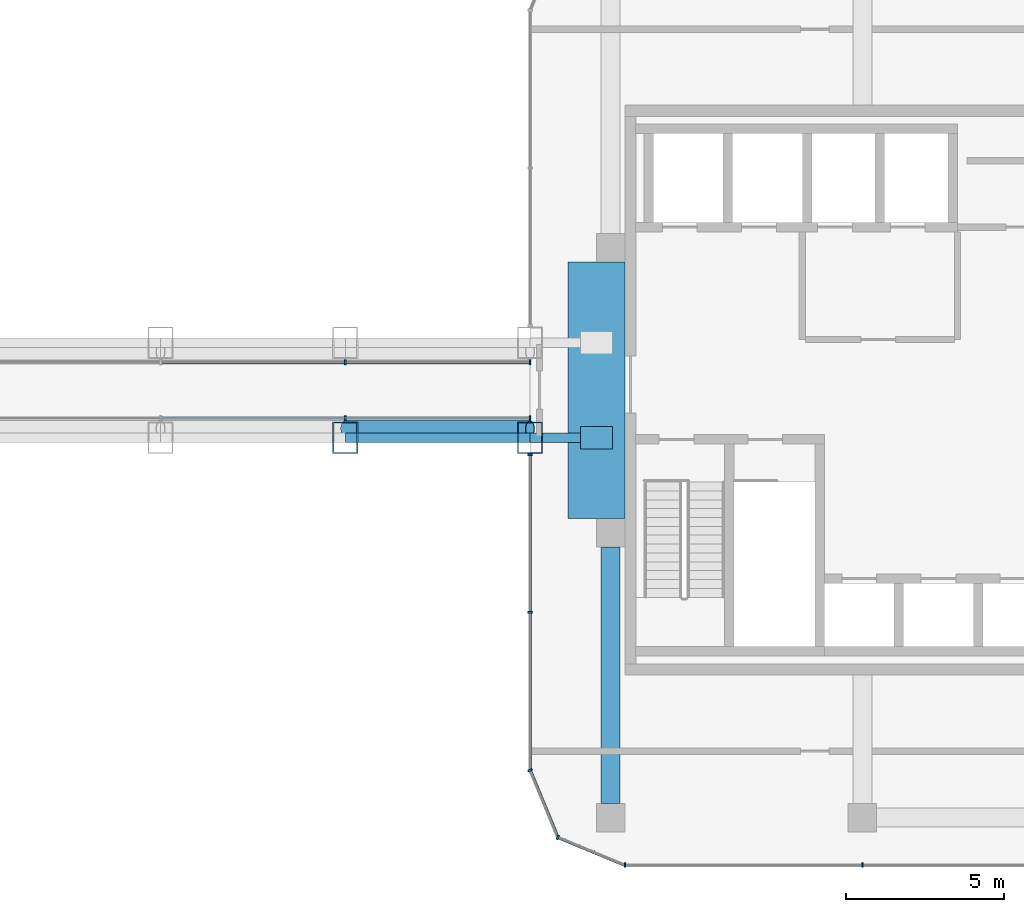
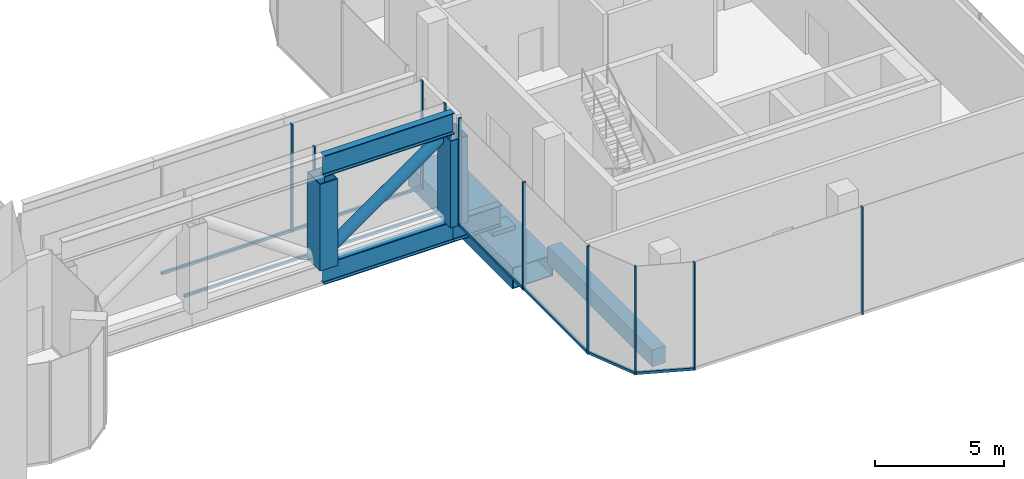
# One storey, part 10 of 23: 22 members, 2 beams, 6 elements without a shape of their own.
"""IFC4 building model written with IfcOpenShell, lengths in metres."""

from ifc_helpers import new_model, si_unit, direction, frame, origin, origin_2d, place, context, subcontext, project, spatial, rectangle, hollow_rectangle, hollow_circle, i_section, extrude, material, layer, layer_set, material_profile, profile_set, type_object, element, aggregate, save


model = new_model("IFC4")

# Units and contexts
model_context = context("Model", 3, precision=1e-05, world=origin(), true_north=direction((0.0, 1.0)))
body_context = subcontext(model_context, "Body", "Model", "MODEL_VIEW")
ifc_project = project(units=[si_unit("LENGTHUNIT", "METRE"), si_unit("AREAUNIT", "SQUARE_METRE"), si_unit("VOLUMEUNIT", "CUBIC_METRE"), si_unit("PLANEANGLEUNIT", "RADIAN"), si_unit("MASSUNIT", "GRAM", prefix="KILO")], contexts=[model_context])

# Site, building, storey
site_placement = place(None, origin())
site = spatial("IfcSite", under=ifc_project, at=site_placement, CompositionType="ELEMENT")
building_placement = place(site_placement, origin())
building = spatial("IfcBuilding", under=site, at=building_placement, Name="Plateau Cross Towers", CompositionType="ELEMENT")
storey_placement = place(building_placement, frame((0.0, 0.0, 123.800048828125)))
storey = spatial("IfcBuildingStorey", under=building, at=storey_placement, Name="L32", CompositionType="ELEMENT", Elevation=123.800048828125)

# Beam
ifc_material_1 = material(Name="Steel S355", Category="steel")
ifc_material_profile_1 = material_profile(ifc_material_1, hollow_rectangle(XDim=1.800048828125, YDim=1.0, WallThickness=0.0400390625, at=origin_2d()), Name="BOX 1000x1800x40")
ifc_profile_set_1 = profile_set([ifc_material_profile_1], Name="Steel S355")
beam_type_1 = type_object("IfcBeamType", Name="Bridge seat beam BOX 1000x1800x40", PredefinedType="BEAM", material=ifc_profile_set_1)
beam_1_placement = place(storey_placement, frame((74.10009765625, 4.949951171875, -2.0), z_axis=(0.0, 1.0, 0.0), x_axis=(-1.0, 0.0, 0.0)))
element("IfcBeam", 1, at=beam_1_placement, inside=storey, type_object=beam_type_1, Name="BR-S-SEATBEAM", PredefinedType="BEAM", context=body_context, shape_type="SweptSolid", body=[
    extrude(hollow_rectangle(XDim=1.800048828125, YDim=1.0, WallThickness=0.0400390625, at=origin_2d()), origin(), (0.0, 0.0, 1.0), 8.10009765625),
])

# Curtain wall, members
ifc_material_2 = material(Name="Dark low-iron glass", Category="glass")
ifc_layer_1 = layer(ifc_material_2, 0.239990234375)
ifc_layer_set_1 = layer_set([ifc_layer_1], Name="Dark low-iron glass")
curtain_wall_type_1 = type_object("IfcCurtainWallType", Name="Curtain wall office unitised CW-F", PredefinedType="NOTDEFINED", material=ifc_layer_set_1)
curtain_wall_1_placement = place(storey_placement, origin())
curtain_wall_1 = element("IfcCurtainWall", 2, at=curtain_wall_1_placement, inside=storey, type_object=curtain_wall_type_1, Name="ENV/B/L32/B750_-60", PredefinedType="NOTDEFINED")
ifc_material_3 = material(Name="Black anodised aluminium", Category="aluminium")
ifc_material_profile_2 = material_profile(ifc_material_3, rectangle(XDim=0.06005859375, YDim=0.139892578125, at=origin_2d()), Name="MULLION 60x140")
ifc_profile_set_2 = profile_set([ifc_material_profile_2], Name="Black anodised aluminium")
member_type_1 = type_object("IfcMemberType", Name="Mullion 60x140 office unitised", PredefinedType="MULLION", material=ifc_profile_set_2)
member_1_placement = place(storey_placement, frame((75.0, -6.0, -0.300048828125), z_axis=(0.0, 0.0, 1.0), x_axis=(1.0, 0.0, 0.0)))
member_1 = element("IfcMember", 3, at=member_1_placement, type_object=member_type_1, Name="CW-F mullion 1", PredefinedType="MULLION", context=body_context, shape_type="SweptSolid", body=[
    extrude(rectangle(XDim=0.06005859375, YDim=0.139892578125, at=origin_2d()), origin(), (0.0, 0.0, 1.0), 5.10009765625),
])
member_2_placement = place(storey_placement, frame((82.5, -6.0, -0.300048828125), z_axis=(0.0, 0.0, 1.0), x_axis=(1.0, 0.0, 0.0)))
member_2 = element("IfcMember", 4, at=member_2_placement, type_object=member_type_1, Name="CW-F mullion 2", PredefinedType="MULLION", context=body_context, shape_type="SweptSolid", body=[
    extrude(rectangle(XDim=0.06005859375, YDim=0.139892578125, at=origin_2d()), origin(), (0.0, 0.0, 1.0), 5.10009765625),
])
aggregate(curtain_wall_1, [member_1, member_2])

curtain_wall_2_placement = place(storey_placement, origin())
curtain_wall_2 = element("IfcCurtainWall", 5, at=curtain_wall_2_placement, inside=storey, type_object=curtain_wall_type_1, Name="ENV/B/L32/B720_70", PredefinedType="NOTDEFINED")
member_3_placement = place(storey_placement, frame((72.0, 6.965087890625, -0.300048828125), z_axis=(0.0, 0.0, 1.0), x_axis=(0.0, -1.0, 0.0)))
member_3 = element("IfcMember", 6, at=member_3_placement, type_object=member_type_1, Name="CW-F mullion 1", PredefinedType="MULLION", context=body_context, shape_type="SweptSolid", body=[
    extrude(rectangle(XDim=0.06005859375, YDim=0.139892578125, at=origin_2d()), origin(), (0.0, 0.0, 1.0), 5.10009765625),
])
member_4_placement = place(storey_placement, frame((72.0, 1.982421875, -0.300048828125), z_axis=(0.0, 0.0, 1.0), x_axis=(0.0, -1.0, 0.0)))
member_4 = element("IfcMember", 7, at=member_4_placement, type_object=member_type_1, Name="CW-F mullion 2", PredefinedType="MULLION", context=body_context, shape_type="SweptSolid", body=[
    extrude(rectangle(XDim=0.06005859375, YDim=0.139892578125, at=origin_2d()), origin(), (0.0, 0.0, 1.0), 5.10009765625),
])

# Curtain wall, member
curtain_wall_3_placement = place(storey_placement, origin())
curtain_wall_3 = element("IfcCurtainWall", 8, at=curtain_wall_3_placement, inside=storey, type_object=curtain_wall_type_1, Name="ENV/B/L32/B720_-30", PredefinedType="NOTDEFINED")
member_5_placement = place(storey_placement, frame((72.0, -3.0, -0.300048828125), z_axis=(0.0, 0.0, 1.0), x_axis=(0.382683612978, -0.923879457699, 0.0)))
member_5 = element("IfcMember", 9, at=member_5_placement, type_object=member_type_1, Name="CW-F mullion 1", PredefinedType="MULLION", context=body_context, shape_type="SweptSolid", body=[
    extrude(rectangle(XDim=0.06005859375, YDim=0.139892578125, at=origin_2d()), origin(), (0.0, 0.0, 1.0), 5.10009765625),
])

curtain_wall_4_placement = place(storey_placement, origin())
curtain_wall_4 = element("IfcCurtainWall", 10, at=curtain_wall_4_placement, inside=storey, type_object=curtain_wall_type_1, Name="ENV/B/L32/B729_-51", PredefinedType="NOTDEFINED")
member_6_placement = place(storey_placement, frame((72.878662109375, -5.121337890625, -0.300048828125), z_axis=(0.0, 0.0, 1.0), x_axis=(0.923879457699, -0.382683612978, 0.0)))
member_6 = element("IfcMember", 11, at=member_6_placement, type_object=member_type_1, Name="CW-F mullion 1", PredefinedType="MULLION", context=body_context, shape_type="SweptSolid", body=[
    extrude(rectangle(XDim=0.06005859375, YDim=0.139892578125, at=origin_2d()), origin(), (0.0, 0.0, 1.0), 5.10009765625),
])

# Curtain wall, members
ifc_material_4 = material(Name="Dark low-iron laminated glass", Category="glass")
ifc_layer_2 = layer(ifc_material_4, 0.25)
ifc_layer_set_2 = layer_set([ifc_layer_2], Name="Dark low-iron laminated glass")
curtain_wall_type_2 = type_object("IfcCurtainWallType", Name="Curtain wall bridge CW-E", PredefinedType="NOTDEFINED", material=ifc_layer_set_2)
curtain_wall_5_placement = place(storey_placement, origin())
curtain_wall_5 = element("IfcCurtainWall", 12, at=curtain_wall_5_placement, inside=storey, type_object=curtain_wall_type_2, Name="ENV/BR/L32/BR-S-south-2", PredefinedType="NOTDEFINED")
ifc_material_profile_3 = material_profile(ifc_material_3, rectangle(XDim=0.06005859375, YDim=0.14990234375, at=origin_2d()), Name="MULLION 60x150")
ifc_profile_set_3 = profile_set([ifc_material_profile_3], Name="Black anodised aluminium")
member_type_2 = type_object("IfcMemberType", Name="Mullion 60x150 bridge", PredefinedType="MULLION", material=ifc_profile_set_3)
member_7_placement = place(storey_placement, frame((66.166748046875, 8.1201171875, -0.300048828125), z_axis=(0.0, 0.0, 1.0), x_axis=(1.0, 0.0, 0.0)))
member_7 = element("IfcMember", 13, at=member_7_placement, type_object=member_type_2, Name="CW-E mullion 2", PredefinedType="MULLION", context=body_context, shape_type="SweptSolid", body=[
    extrude(rectangle(XDim=0.06005859375, YDim=0.14990234375, at=origin_2d()), origin(), (0.0, 0.0, 1.0), 5.10009765625),
])
member_8_placement = place(storey_placement, frame((72.0, 8.1201171875, -0.300048828125), z_axis=(0.0, 0.0, 1.0), x_axis=(1.0, 0.0, 0.0)))
member_8 = element("IfcMember", 14, at=member_8_placement, type_object=member_type_2, Name="CW-E mullion 3", PredefinedType="MULLION", context=body_context, shape_type="SweptSolid", body=[
    extrude(rectangle(XDim=0.06005859375, YDim=0.14990234375, at=origin_2d()), origin(), (0.0, 0.0, 1.0), 5.10009765625),
])

curtain_wall_6_placement = place(storey_placement, origin())
curtain_wall_6 = element("IfcCurtainWall", 15, at=curtain_wall_6_placement, inside=storey, type_object=curtain_wall_type_2, Name="ENV/BR/L32/BR-S-north-2", PredefinedType="NOTDEFINED")
member_9_placement = place(storey_placement, frame((66.166748046875, 9.8798828125, -0.300048828125), z_axis=(0.0, 0.0, 1.0), x_axis=(1.0, 0.0, 0.0)))
member_9 = element("IfcMember", 16, at=member_9_placement, type_object=member_type_2, Name="CW-E mullion 2", PredefinedType="MULLION", context=body_context, shape_type="SweptSolid", body=[
    extrude(rectangle(XDim=0.06005859375, YDim=0.14990234375, at=origin_2d()), origin(), (0.0, 0.0, 1.0), 5.10009765625),
])
member_10_placement = place(storey_placement, frame((72.0, 9.8798828125, -0.300048828125), z_axis=(0.0, 0.0, 1.0), x_axis=(1.0, 0.0, 0.0)))
member_10 = element("IfcMember", 17, at=member_10_placement, type_object=member_type_2, Name="CW-E mullion 3", PredefinedType="MULLION", context=body_context, shape_type="SweptSolid", body=[
    extrude(rectangle(XDim=0.06005859375, YDim=0.14990234375, at=origin_2d()), origin(), (0.0, 0.0, 1.0), 5.10009765625),
])

# Beam
ifc_material_5 = material(Name="Concrete C60/75", Category="concrete")
ifc_material_profile_4 = material_profile(ifc_material_5, rectangle(XDim=0.60009765625, YDim=0.800048828125, at=origin_2d()), Name="RC 600x800")
ifc_profile_set_4 = profile_set([ifc_material_profile_4], Name="Concrete C60/75")
beam_type_2 = type_object("IfcBeamType", Name="Ring beam RC 600x800", PredefinedType="BEAM", material=ifc_profile_set_4)
beam_2_placement = place(storey_placement, frame((74.550048828125, 4.050048828125, -0.699951171875), z_axis=(0.0, -1.0, 0.0), x_axis=(1.0, 0.0, 0.0)))
element("IfcBeam", 18, at=beam_2_placement, inside=storey, type_object=beam_type_2, Name="B-RB04@L32", PredefinedType="BEAM", context=body_context, shape_type="SweptSolid", body=[
    extrude(rectangle(XDim=0.60009765625, YDim=0.800048828125, at=origin_2d()), origin(), (0.0, 0.0, 1.0), 8.10009765625),
])

# Members
ifc_material_profile_5 = material_profile(ifc_material_1, i_section(OverallWidth=0.300048828125, OverallDepth=1.0, WebThickness=0.01904296875, FlangeThickness=0.035888671875, FilletRadius=0.030029296875, at=origin_2d()), Name="HE 1000 B")
ifc_profile_set_5 = profile_set([ifc_material_profile_5], Name="Steel S355")
member_type_3 = type_object("IfcMemberType", Name="Sky garden bridge truss chord HE 1000 B", PredefinedType="CHORD", material=ifc_profile_set_5)
for number, where, z_axis, x_axis, name in (
    (19, (66.166748046875, 7.5, -0.800048828125), (1.0, 0.0, 0.0), (0.0, 1.0, 0.0), "BR-S-T1-B3"),
    (20, (66.166748046875, 7.5, 4.300048828125), (1.0, 0.0, 0.0), (0.0, 1.0, 0.0), "BR-S-T1-T3"),
):
    element("IfcMember", number, at=place(storey_placement, frame(where, z_axis=z_axis, x_axis=x_axis)), inside=storey, type_object=member_type_3, Name=name, PredefinedType="CHORD", context=body_context, shape_type="SweptSolid", body=[
        extrude(i_section(OverallWidth=0.300048828125, OverallDepth=1.0, WebThickness=0.01904296875, FlangeThickness=0.035888671875, FilletRadius=0.030029296875, at=origin_2d()), origin(), (0.0, 0.0, 1.0), 5.833251953125),
    ])
member_11_placement = place(storey_placement, frame((72.0, 7.5, -0.800048828125), z_axis=(1.0, 0.0, 0.0), x_axis=(0.0, 1.0, 0.0)))
element("IfcMember", 21, at=member_11_placement, inside=storey, type_object=member_type_3, Name="BR-S-T1-SEAT", PredefinedType="CHORD", context=body_context, shape_type="SweptSolid", body=[
    extrude(i_section(OverallWidth=0.300048828125, OverallDepth=1.0, WebThickness=0.01904296875, FlangeThickness=0.035888671875, FilletRadius=0.030029296875, at=origin_2d()), origin(), (0.0, 0.0, 1.0), 2.10009765625),
])
ifc_material_profile_6 = material_profile(ifc_material_1, hollow_circle(Radius=0.25390625, WallThickness=0.02490234375, at=origin_2d()), Name="CHS 508x25")
ifc_profile_set_6 = profile_set([ifc_material_profile_6], Name="Steel S355")
member_type_4 = type_object("IfcMemberType", Name="Sky garden bridge truss diagonal CHS 508x25", PredefinedType="BRACE", material=ifc_profile_set_6)
member_12_placement = place(storey_placement, frame((66.166748046875, 7.785888671875, -0.300048828125), z_axis=(0.818122036637, 0.0, 0.575044635805), x_axis=(0.0, 1.0, 0.0)))
element("IfcMember", 22, at=member_12_placement, inside=storey, type_object=member_type_4, Name="BR-S-T1-D3", PredefinedType="BRACE", context=body_context, shape_type="SweptSolid", body=[
    extrude(hollow_circle(Radius=0.25390625, WallThickness=0.02490234375, at=origin_2d()), origin(), (0.0, 0.0, 1.0), 7.130126953125),
])
ifc_material_profile_7 = material_profile(ifc_material_1, hollow_rectangle(XDim=0.800048828125, YDim=1.0, WallThickness=0.0400390625, at=origin_2d()), Name="BOX 1000x800x40")
ifc_profile_set_7 = profile_set([ifc_material_profile_7], Name="Steel S355")
member_type_5 = type_object("IfcMemberType", Name="Sky garden bridge truss post BOX 1000x800x40", PredefinedType="POST", material=ifc_profile_set_7)
for number, where, z_axis, x_axis, name in (
    (23, (66.166748046875, 7.5, -0.300048828125), (0.0, 0.0, 1.0), (1.0, 0.0, 0.0), "BR-S-T1-V3"),
    (24, (72.0, 7.5, -0.300048828125), (0.0, 0.0, 1.0), (1.0, 0.0, 0.0), "BR-S-T1-V4"),
):
    element("IfcMember", number, at=place(storey_placement, frame(where, z_axis=z_axis, x_axis=x_axis)), inside=storey, type_object=member_type_5, Name=name, PredefinedType="POST", context=body_context, shape_type="SweptSolid", body=[
        extrude(hollow_rectangle(XDim=0.800048828125, YDim=1.0, WallThickness=0.0400390625, at=origin_2d()), origin(), (0.0, 0.0, 1.0), 4.10009765625),
    ])
ifc_layer_3 = layer(ifc_material_1, 0.199951171875)
ifc_layer_set_3 = layer_set([ifc_layer_3], Name="Steel S355")
member_type_6 = type_object("IfcMemberType", Name="Sliding bridge bearing BRG 1000x700", PredefinedType="USERDEFINED", material=ifc_layer_set_3)
member_13_placement = place(storey_placement, frame((74.10009765625, 7.5, -1.5), z_axis=(0.0, 0.0, 1.0), x_axis=(1.0, 0.0, 0.0)))
element("IfcMember", 25, at=member_13_placement, inside=storey, type_object=member_type_6, Name="Sky garden bridge sliding bearing 1", ObjectType="BEARING", PredefinedType="USERDEFINED", context=body_context, shape_type="SweptSolid", body=[
    extrude(rectangle(XDim=1.0, YDim=0.699951171875, at=origin_2d()), origin(), (0.0, 0.0, 1.0), 0.199951171875),
])

# Member
ifc_material_profile_8 = material_profile(ifc_material_3, rectangle(XDim=0.10009765625, YDim=0.1201171875, at=origin_2d()), Name="TRANSOM 100x120")
ifc_profile_set_8 = profile_set([ifc_material_profile_8], Name="Black anodised aluminium")
member_type_7 = type_object("IfcMemberType", Name="Transom 100x120 bridge", PredefinedType="USERDEFINED", material=ifc_profile_set_8)
member_14_placement = place(storey_placement, frame((60.333251953125, 8.1201171875, -0.239990234375), z_axis=(1.0, 0.0, 0.0), x_axis=(0.0, 1.0, 0.0)))
member_14 = element("IfcMember", 26, at=member_14_placement, type_object=member_type_7, Name="CW-E transom", ObjectType="TRANSOM", PredefinedType="USERDEFINED", context=body_context, shape_type="SweptSolid", body=[
    extrude(rectangle(XDim=0.10009765625, YDim=0.1201171875, at=origin_2d()), origin(), (0.0, 0.0, 1.0), 11.666748046875),
])

aggregate(curtain_wall_5, [member_7, member_8, member_14])

member_15_placement = place(storey_placement, frame((60.333251953125, 9.8798828125, -0.239990234375), z_axis=(1.0, 0.0, 0.0), x_axis=(0.0, 1.0, 0.0)))
member_15 = element("IfcMember", 27, at=member_15_placement, type_object=member_type_7, Name="CW-E transom", ObjectType="TRANSOM", PredefinedType="USERDEFINED", context=body_context, shape_type="SweptSolid", body=[
    extrude(rectangle(XDim=0.10009765625, YDim=0.1201171875, at=origin_2d()), origin(), (0.0, 0.0, 1.0), 11.666748046875),
])

aggregate(curtain_wall_6, [member_9, member_10, member_15])

ifc_material_profile_9 = material_profile(ifc_material_3, rectangle(XDim=0.10009765625, YDim=0.1201171875, at=origin_2d()), Name="TRANSOM 100x120")
ifc_profile_set_9 = profile_set([ifc_material_profile_9], Name="Black anodised aluminium")
member_type_8 = type_object("IfcMemberType", Name="Transom 100x120 office unitised", PredefinedType="USERDEFINED", material=ifc_profile_set_9)
member_16_placement = place(storey_placement, frame((72.0, 6.965087890625, -0.239990234375), z_axis=(0.0, -1.0, 0.0), x_axis=(1.0, 0.0, 0.0)))
member_16 = element("IfcMember", 28, at=member_16_placement, type_object=member_type_8, Name="CW-F transom", ObjectType="TRANSOM", PredefinedType="USERDEFINED", context=body_context, shape_type="SweptSolid", body=[
    extrude(rectangle(XDim=0.10009765625, YDim=0.1201171875, at=origin_2d()), origin(), (0.0, 0.0, 1.0), 9.965087890625),
])

aggregate(curtain_wall_2, [member_3, member_4, member_16])

member_17_placement = place(storey_placement, frame((72.0, -3.0, -0.239990234375), z_axis=(0.382674207535, -0.923883353507, 0.0), x_axis=(0.923883353507, 0.382674207535, 0.0)))
member_17 = element("IfcMember", 29, at=member_17_placement, type_object=member_type_8, Name="CW-F transom", ObjectType="TRANSOM", PredefinedType="USERDEFINED", context=body_context, shape_type="SweptSolid", body=[
    extrude(rectangle(XDim=0.10009765625, YDim=0.1201171875, at=origin_2d()), origin(), (0.0, 0.0, 1.0), 2.296142578125),
])

aggregate(curtain_wall_3, [member_5, member_17])

member_18_placement = place(storey_placement, frame((72.878662109375, -5.121337890625, -0.239990234375), z_axis=(0.923883353507, -0.382674207535, 0.0), x_axis=(0.382674207535, 0.923883353507, 0.0)))
member_18 = element("IfcMember", 30, at=member_18_placement, type_object=member_type_8, Name="CW-F transom", ObjectType="TRANSOM", PredefinedType="USERDEFINED", context=body_context, shape_type="SweptSolid", body=[
    extrude(rectangle(XDim=0.10009765625, YDim=0.1201171875, at=origin_2d()), origin(), (0.0, 0.0, 1.0), 2.296142578125),
])

aggregate(curtain_wall_4, [member_6, member_18])

save(model, "model.ifc")
